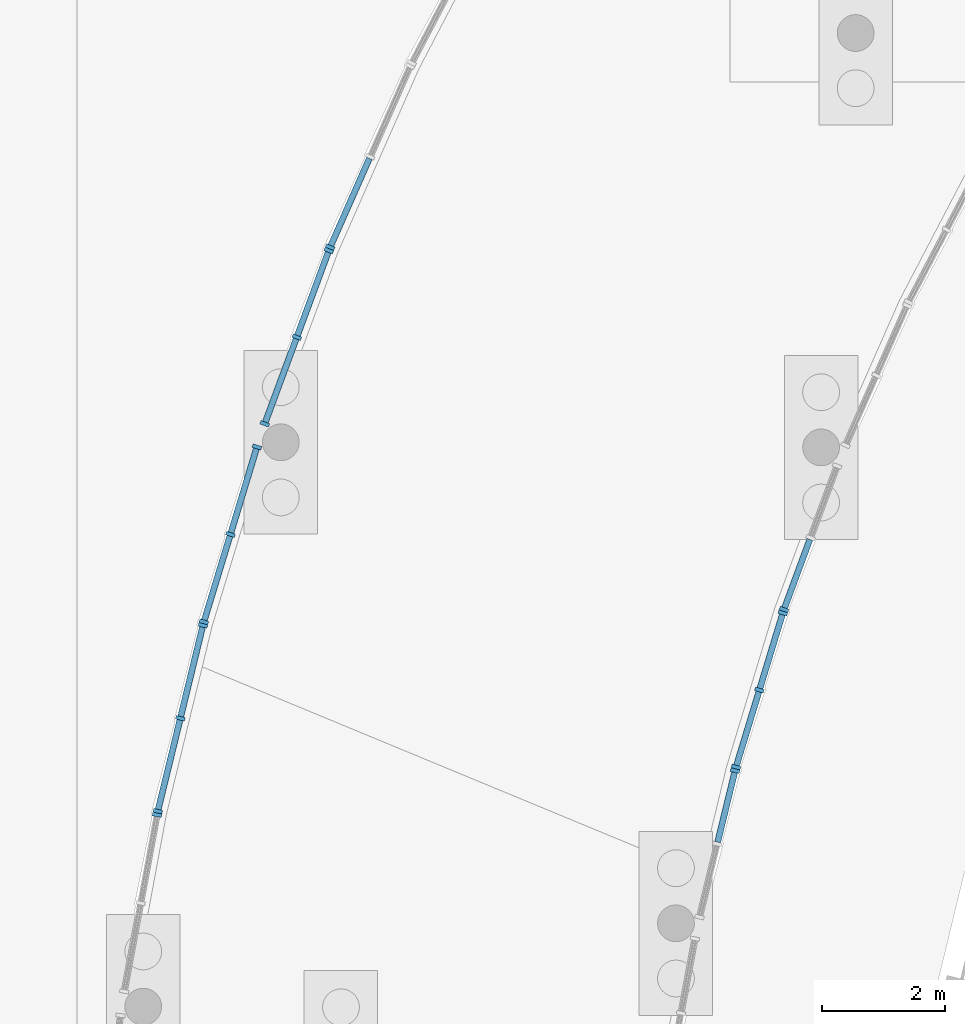
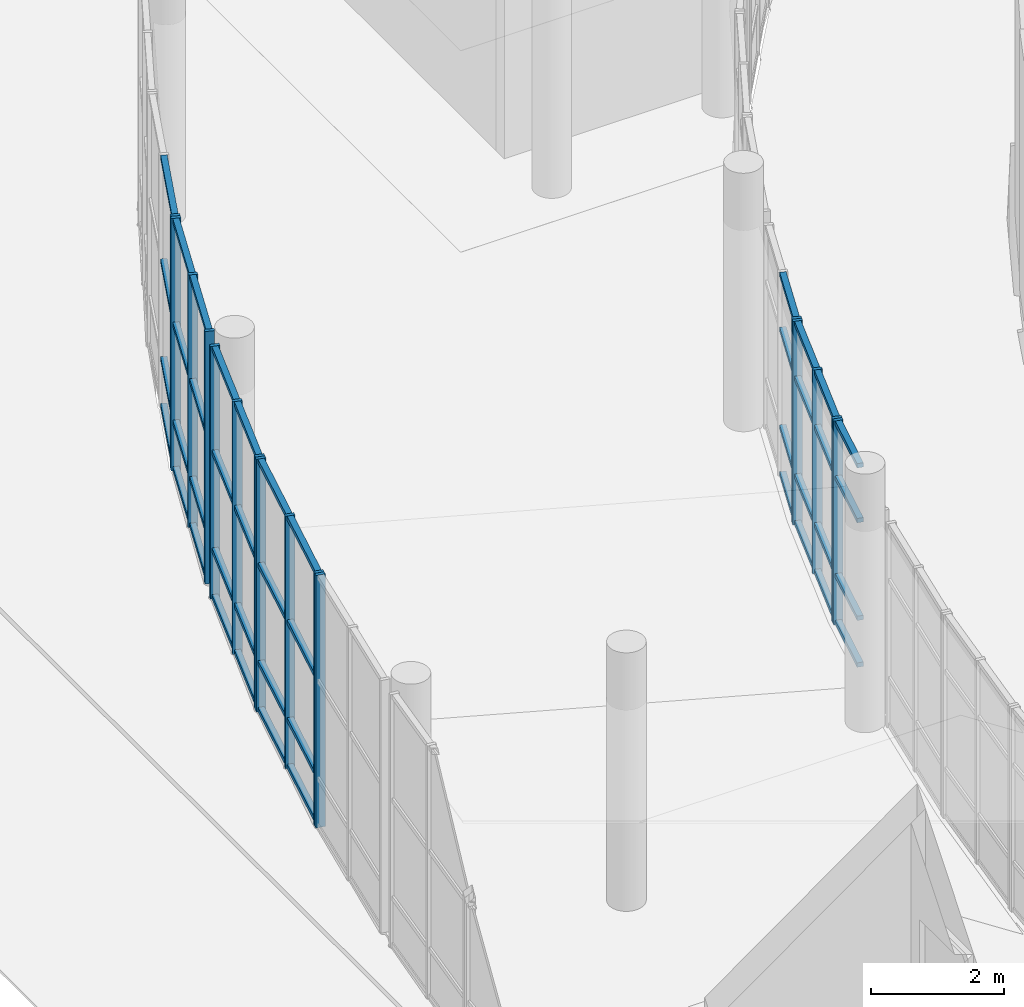
# One storey, part 26 of 110: 60 members, 8 elements without a shape of their own.
"""IFC4 building model written with IfcOpenShell, lengths in metres."""

from ifc_helpers import new_model, si_unit, direction, frame, origin, origin_2d, place, context, subcontext, project, spatial, rectangle, extrude, material, layer, layer_set, material_profile, profile_set, type_object, element, aggregate, save


model = new_model("IFC4")

# Units and contexts
model_context = context("Model", 3, precision=1e-05, world=origin(), true_north=direction((0.0, 1.0)))
body_context = subcontext(model_context, "Body", "Model", "MODEL_VIEW")
ifc_project = project(units=[si_unit("LENGTHUNIT", "METRE"), si_unit("AREAUNIT", "SQUARE_METRE"), si_unit("VOLUMEUNIT", "CUBIC_METRE"), si_unit("PLANEANGLEUNIT", "RADIAN"), si_unit("MASSUNIT", "GRAM", prefix="KILO")], contexts=[model_context])

# Site, building, storey
site_placement = place(None, origin())
site = spatial("IfcSite", under=ifc_project, at=site_placement, CompositionType="ELEMENT")
building_placement = place(site_placement, origin())
building = spatial("IfcBuilding", under=site, at=building_placement, Name="Larchfold Concert Hall", CompositionType="ELEMENT")
storey_placement = place(building_placement, origin())
storey = spatial("IfcBuildingStorey", under=building, at=storey_placement, Name="L00", CompositionType="ELEMENT", Elevation=0.0)

# Curtain wall, member
ifc_material_1 = material(Name="Anodised graphite aluminium curtain wall", Category="aluminium")
ifc_layer = layer(ifc_material_1, 0.14990234375)
ifc_layer_set = layer_set([ifc_layer], Name="Anodised graphite aluminium curtain wall")
curtain_wall_type = type_object("IfcCurtainWallType", Name="Curtain wall WG", PredefinedType="NOTDEFINED", material=ifc_layer_set)
curtain_wall_1_placement = place(storey_placement, origin())
curtain_wall_1 = element("IfcCurtainWall", 1, at=curtain_wall_1_placement, inside=storey, type_object=curtain_wall_type, Name="Curtain wall CW0075", PredefinedType="NOTDEFINED")
ifc_material_2 = material(Name="Anodised graphite aluminium mullion", Category="aluminium")
ifc_material_profile_1 = material_profile(ifc_material_2, rectangle(XDim=0.14990234375, YDim=0.06005859375, at=origin_2d()))
ifc_profile_set_1 = profile_set([ifc_material_profile_1], Name="Anodised graphite aluminium mullion")
member_type_1 = type_object("IfcMemberType", Name="Aluminium mullion 60x150", PredefinedType="MULLION", material=ifc_profile_set_1)
member_1_placement = place(storey_placement, frame((15.431884765625, 97.761474609375, 0.0), z_axis=(0.0, 0.0, 1.0), x_axis=(-0.971761957722, 0.235963339363, 0.0)))
member_1 = element("IfcMember", 2, at=member_1_placement, type_object=member_type_1, Name="CW0075 mullion 3", PredefinedType="MULLION", context=body_context, shape_type="SweptSolid", body=[
    extrude(rectangle(XDim=0.14990234375, YDim=0.06005859375, at=origin_2d()), origin(), (0.0, 0.0, 1.0), 3.75),
])

# Curtain wall, members
curtain_wall_2_placement = place(storey_placement, origin())
curtain_wall_2 = element("IfcCurtainWall", 3, at=curtain_wall_2_placement, inside=storey, type_object=curtain_wall_type, Name="Curtain wall CW0076", PredefinedType="NOTDEFINED")
member_2_placement = place(storey_placement, frame((15.44775390625, 97.8193359375, 0.0), z_axis=(0.0, 0.0, 1.0), x_axis=(-0.956856236078, 0.290561772224, 0.0)))
member_2 = element("IfcMember", 4, at=member_2_placement, type_object=member_type_1, Name="CW0076 mullion 1", PredefinedType="MULLION", context=body_context, shape_type="SweptSolid", body=[
    extrude(rectangle(XDim=0.14990234375, YDim=0.06005859375, at=origin_2d()), origin(), (0.0, 0.0, 1.0), 3.75),
])
member_3_placement = place(storey_placement, frame((15.82958984375, 99.076904296875, 0.0), z_axis=(0.0, 0.0, 1.0), x_axis=(-0.956856236078, 0.290561772224, 0.0)))
member_3 = element("IfcMember", 5, at=member_3_placement, type_object=member_type_1, Name="CW0076 mullion 2", PredefinedType="MULLION", context=body_context, shape_type="SweptSolid", body=[
    extrude(rectangle(XDim=0.14990234375, YDim=0.06005859375, at=origin_2d()), origin(), (0.0, 0.0, 1.0), 3.75),
])
member_4_placement = place(storey_placement, frame((16.21142578125, 100.33447265625, 0.0), z_axis=(0.0, 0.0, 1.0), x_axis=(-0.956856236078, 0.290561772224, 0.0)))
member_4 = element("IfcMember", 6, at=member_4_placement, type_object=member_type_1, Name="CW0076 mullion 3", PredefinedType="MULLION", context=body_context, shape_type="SweptSolid", body=[
    extrude(rectangle(XDim=0.14990234375, YDim=0.06005859375, at=origin_2d()), origin(), (0.0, 0.0, 1.0), 3.75),
])

# Curtain wall, member
curtain_wall_3_placement = place(storey_placement, origin())
curtain_wall_3 = element("IfcCurtainWall", 7, at=curtain_wall_3_placement, inside=storey, type_object=curtain_wall_type, Name="Curtain wall CW0077", PredefinedType="NOTDEFINED")
member_5_placement = place(storey_placement, frame((16.230712890625, 100.391357421875, 0.0), z_axis=(0.0, 0.0, 1.0), x_axis=(-0.938008664151, 0.346611808768, 0.0)))
member_5 = element("IfcMember", 8, at=member_5_placement, type_object=member_type_1, Name="CW0077 mullion 1", PredefinedType="MULLION", context=body_context, shape_type="SweptSolid", body=[
    extrude(rectangle(XDim=0.14990234375, YDim=0.06005859375, at=origin_2d()), origin(), (0.0, 0.0, 1.0), 3.75),
])

curtain_wall_4_placement = place(storey_placement, origin())
curtain_wall_4 = element("IfcCurtainWall", 9, at=curtain_wall_4_placement, inside=storey, type_object=curtain_wall_type, Name="Curtain wall CW0111", PredefinedType="NOTDEFINED")
member_6_placement = place(storey_placement, frame((8.822998046875, 106.304931640625, 0.0), z_axis=(0.0, 0.0, 1.0), x_axis=(0.914703196701, -0.404126294549, 0.0)))
member_6 = element("IfcMember", 10, at=member_6_placement, type_object=member_type_1, Name="CW0111 mullion 3", PredefinedType="MULLION", context=body_context, shape_type="SweptSolid", body=[
    extrude(rectangle(XDim=0.14990234375, YDim=0.06005859375, at=origin_2d()), origin(), (0.0, 0.0, 1.0), 4.64990234375),
])

# Curtain wall, members
curtain_wall_5_placement = place(storey_placement, origin())
curtain_wall_5 = element("IfcCurtainWall", 11, at=curtain_wall_5_placement, inside=storey, type_object=curtain_wall_type, Name="Curtain wall CW0112", PredefinedType="NOTDEFINED")
member_7_placement = place(storey_placement, frame((8.80029296875, 106.24951171875, 0.0), z_axis=(0.0, 0.0, 1.0), x_axis=(0.938015834921, -0.346592402451, 0.0)))
member_7 = element("IfcMember", 12, at=member_7_placement, type_object=member_type_1, Name="CW0112 mullion 1", PredefinedType="MULLION", context=body_context, shape_type="SweptSolid", body=[
    extrude(rectangle(XDim=0.14990234375, YDim=0.06005859375, at=origin_2d()), origin(), (0.0, 0.0, 1.0), 4.64990234375),
])
member_8_placement = place(storey_placement, frame((8.2783203125, 104.836181640625, 0.0), z_axis=(0.0, 0.0, 1.0), x_axis=(0.938015834921, -0.346592402451, 0.0)))
member_8 = element("IfcMember", 13, at=member_8_placement, type_object=member_type_1, Name="CW0112 mullion 2", PredefinedType="MULLION", context=body_context, shape_type="SweptSolid", body=[
    extrude(rectangle(XDim=0.14990234375, YDim=0.06005859375, at=origin_2d()), origin(), (0.0, 0.0, 1.0), 4.64990234375),
])
member_9_placement = place(storey_placement, frame((7.756103515625, 103.4228515625, 0.0), z_axis=(0.0, 0.0, 1.0), x_axis=(0.938015834921, -0.346592402451, 0.0)))
member_9 = element("IfcMember", 14, at=member_9_placement, type_object=member_type_1, Name="CW0112 mullion 3", PredefinedType="MULLION", context=body_context, shape_type="SweptSolid", body=[
    extrude(rectangle(XDim=0.14990234375, YDim=0.06005859375, at=origin_2d()), origin(), (0.0, 0.0, 1.0), 4.64990234375),
])

curtain_wall_6_placement = place(storey_placement, origin())
curtain_wall_6 = element("IfcCurtainWall", 15, at=curtain_wall_6_placement, inside=storey, type_object=curtain_wall_type, Name="Curtain wall CW0113", PredefinedType="NOTDEFINED")
member_10_placement = place(storey_placement, frame((7.628662109375, 103.04443359375, 0.0), z_axis=(0.0, 0.0, 1.0), x_axis=(0.956837952364, -0.290621975967, 0.0)))
member_10 = element("IfcMember", 16, at=member_10_placement, type_object=member_type_1, Name="CW0113 mullion 1", PredefinedType="MULLION", context=body_context, shape_type="SweptSolid", body=[
    extrude(rectangle(XDim=0.14990234375, YDim=0.06005859375, at=origin_2d()), origin(), (0.0, 0.0, 1.0), 4.64990234375),
])
member_11_placement = place(storey_placement, frame((7.1953125, 101.61767578125, 0.0), z_axis=(0.0, 0.0, 1.0), x_axis=(0.956837952364, -0.290621975967, 0.0)))
member_11 = element("IfcMember", 17, at=member_11_placement, type_object=member_type_1, Name="CW0113 mullion 2", PredefinedType="MULLION", context=body_context, shape_type="SweptSolid", body=[
    extrude(rectangle(XDim=0.14990234375, YDim=0.06005859375, at=origin_2d()), origin(), (0.0, 0.0, 1.0), 4.64990234375),
])
member_12_placement = place(storey_placement, frame((6.761962890625, 100.190673828125, 0.0), z_axis=(0.0, 0.0, 1.0), x_axis=(0.956837952364, -0.290621975967, 0.0)))
member_12 = element("IfcMember", 18, at=member_12_placement, type_object=member_type_1, Name="CW0113 mullion 3", PredefinedType="MULLION", context=body_context, shape_type="SweptSolid", body=[
    extrude(rectangle(XDim=0.14990234375, YDim=0.06005859375, at=origin_2d()), origin(), (0.0, 0.0, 1.0), 4.64990234375),
])

curtain_wall_7_placement = place(storey_placement, origin())
curtain_wall_7 = element("IfcCurtainWall", 19, at=curtain_wall_7_placement, inside=storey, type_object=curtain_wall_type, Name="Curtain wall CW0114", PredefinedType="NOTDEFINED")
member_13_placement = place(storey_placement, frame((6.74609375, 100.1328125, 0.0), z_axis=(0.0, 0.0, 1.0), x_axis=(0.97176803509, -0.235938309687, 0.0)))
member_13 = element("IfcMember", 20, at=member_13_placement, type_object=member_type_1, Name="CW0114 mullion 1", PredefinedType="MULLION", context=body_context, shape_type="SweptSolid", body=[
    extrude(rectangle(XDim=0.14990234375, YDim=0.06005859375, at=origin_2d()), origin(), (0.0, 0.0, 1.0), 4.64990234375),
])
member_14_placement = place(storey_placement, frame((6.3779296875, 98.616455078125, 0.0), z_axis=(0.0, 0.0, 1.0), x_axis=(0.97176803509, -0.235938309687, 0.0)))
member_14 = element("IfcMember", 21, at=member_14_placement, type_object=member_type_1, Name="CW0114 mullion 2", PredefinedType="MULLION", context=body_context, shape_type="SweptSolid", body=[
    extrude(rectangle(XDim=0.14990234375, YDim=0.06005859375, at=origin_2d()), origin(), (0.0, 0.0, 1.0), 4.64990234375),
])
member_15_placement = place(storey_placement, frame((6.009765625, 97.099853515625, 0.0), z_axis=(0.0, 0.0, 1.0), x_axis=(0.97176803509, -0.235938309687, 0.0)))
member_15 = element("IfcMember", 22, at=member_15_placement, type_object=member_type_1, Name="CW0114 mullion 3", PredefinedType="MULLION", context=body_context, shape_type="SweptSolid", body=[
    extrude(rectangle(XDim=0.14990234375, YDim=0.06005859375, at=origin_2d()), origin(), (0.0, 0.0, 1.0), 4.64990234375),
])

# Curtain wall, member
curtain_wall_8_placement = place(storey_placement, origin())
curtain_wall_8 = element("IfcCurtainWall", 23, at=curtain_wall_8_placement, inside=storey, type_object=curtain_wall_type, Name="Curtain wall CW0115", PredefinedType="NOTDEFINED")
member_16_placement = place(storey_placement, frame((5.997314453125, 97.041259765625, 0.0), z_axis=(0.0, 0.0, 1.0), x_axis=(0.983234339724, -0.182346464695, 0.0)))
member_16 = element("IfcMember", 24, at=member_16_placement, type_object=member_type_1, Name="CW0115 mullion 1", PredefinedType="MULLION", context=body_context, shape_type="SweptSolid", body=[
    extrude(rectangle(XDim=0.14990234375, YDim=0.06005859375, at=origin_2d()), origin(), (0.0, 0.0, 1.0), 4.64990234375),
])
aggregate(curtain_wall_8, [member_16])

# Member
ifc_material_3 = material(Name="Anodised graphite aluminium transom", Category="aluminium")
ifc_material_profile_2 = material_profile(ifc_material_3, rectangle(XDim=0.10009765625, YDim=0.080078125, at=origin_2d()))
ifc_profile_set_2 = profile_set([ifc_material_profile_2], Name="Anodised graphite aluminium transom")
member_type_2 = type_object("IfcMemberType", Name="Aluminium transom 80x100", PredefinedType="USERDEFINED", material=ifc_profile_set_2)
member_17_placement = place(storey_placement, frame((15.148681640625, 96.595458984375, 0.0400390625), z_axis=(0.236048006379, 0.971741394963, 0.0), x_axis=(-0.971741394963, 0.236048006379, 0.0)))
member_17 = element("IfcMember", 25, at=member_17_placement, type_object=member_type_2, Name="CW0075 transom 2.1", ObjectType="TRANSOM", PredefinedType="USERDEFINED", context=body_context, shape_type="SweptSolid", body=[
    extrude(rectangle(XDim=0.10009765625, YDim=0.080078125, at=origin_2d()), origin(), (0.0, 0.0, 1.0), 1.169677734375),
])

member_18_placement = place(storey_placement, frame((15.148681640625, 96.595458984375, 0.89990234375), z_axis=(0.236048006379, 0.971741394963, 0.0), x_axis=(-0.971741394963, 0.236048006379, 0.0)))
member_18 = element("IfcMember", 26, at=member_18_placement, type_object=member_type_2, Name="CW0075 transom 2.2", ObjectType="TRANSOM", PredefinedType="USERDEFINED", context=body_context, shape_type="SweptSolid", body=[
    extrude(rectangle(XDim=0.10009765625, YDim=0.080078125, at=origin_2d()), origin(), (0.0, 0.0, 1.0), 1.169677734375),
])

member_19_placement = place(storey_placement, frame((15.148681640625, 96.595458984375, 2.699951171875), z_axis=(0.236048006379, 0.971741394963, 0.0), x_axis=(-0.971741394963, 0.236048006379, 0.0)))
member_19 = element("IfcMember", 27, at=member_19_placement, type_object=member_type_2, Name="CW0075 transom 2.3", ObjectType="TRANSOM", PredefinedType="USERDEFINED", context=body_context, shape_type="SweptSolid", body=[
    extrude(rectangle(XDim=0.10009765625, YDim=0.080078125, at=origin_2d()), origin(), (0.0, 0.0, 1.0), 1.169677734375),
])

member_20_placement = place(storey_placement, frame((15.148681640625, 96.595458984375, 3.7099609375), z_axis=(0.236048006379, 0.971741394963, 0.0), x_axis=(-0.971741394963, 0.236048006379, 0.0)))
member_20 = element("IfcMember", 28, at=member_20_placement, type_object=member_type_2, Name="CW0075 transom 2.4", ObjectType="TRANSOM", PredefinedType="USERDEFINED", context=body_context, shape_type="SweptSolid", body=[
    extrude(rectangle(XDim=0.10009765625, YDim=0.080078125, at=origin_2d()), origin(), (0.0, 0.0, 1.0), 1.169677734375),
])

aggregate(curtain_wall_1, [member_1, member_17, member_18, member_19, member_20])

member_21_placement = place(storey_placement, frame((15.456298828125, 97.847900390625, 0.0400390625), z_axis=(0.29059616867, 0.956845790477, 0.0), x_axis=(-0.956845790477, 0.29059616867, 0.0)))
member_21 = element("IfcMember", 29, at=member_21_placement, type_object=member_type_2, Name="CW0076 transom 1.1", ObjectType="TRANSOM", PredefinedType="USERDEFINED", context=body_context, shape_type="SweptSolid", body=[
    extrude(rectangle(XDim=0.10009765625, YDim=0.080078125, at=origin_2d()), origin(), (0.0, 0.0, 1.0), 1.25439453125),
])

member_22_placement = place(storey_placement, frame((15.456298828125, 97.847900390625, 0.89990234375), z_axis=(0.29059616867, 0.956845790477, 0.0), x_axis=(-0.956845790477, 0.29059616867, 0.0)))
member_22 = element("IfcMember", 30, at=member_22_placement, type_object=member_type_2, Name="CW0076 transom 1.2", ObjectType="TRANSOM", PredefinedType="USERDEFINED", context=body_context, shape_type="SweptSolid", body=[
    extrude(rectangle(XDim=0.10009765625, YDim=0.080078125, at=origin_2d()), origin(), (0.0, 0.0, 1.0), 1.25439453125),
])

member_23_placement = place(storey_placement, frame((15.456298828125, 97.847900390625, 2.699951171875), z_axis=(0.29059616867, 0.956845790477, 0.0), x_axis=(-0.956845790477, 0.29059616867, 0.0)))
member_23 = element("IfcMember", 31, at=member_23_placement, type_object=member_type_2, Name="CW0076 transom 1.3", ObjectType="TRANSOM", PredefinedType="USERDEFINED", context=body_context, shape_type="SweptSolid", body=[
    extrude(rectangle(XDim=0.10009765625, YDim=0.080078125, at=origin_2d()), origin(), (0.0, 0.0, 1.0), 1.25439453125),
])

member_24_placement = place(storey_placement, frame((15.456298828125, 97.847900390625, 3.7099609375), z_axis=(0.29059616867, 0.956845790477, 0.0), x_axis=(-0.956845790477, 0.29059616867, 0.0)))
member_24 = element("IfcMember", 32, at=member_24_placement, type_object=member_type_2, Name="CW0076 transom 1.4", ObjectType="TRANSOM", PredefinedType="USERDEFINED", context=body_context, shape_type="SweptSolid", body=[
    extrude(rectangle(XDim=0.10009765625, YDim=0.080078125, at=origin_2d()), origin(), (0.0, 0.0, 1.0), 1.25439453125),
])

member_25_placement = place(storey_placement, frame((15.83837890625, 99.105712890625, 0.0400390625), z_axis=(0.29059616867, 0.956845790477, 0.0), x_axis=(-0.956845790477, 0.29059616867, 0.0)))
member_25 = element("IfcMember", 33, at=member_25_placement, type_object=member_type_2, Name="CW0076 transom 2.1", ObjectType="TRANSOM", PredefinedType="USERDEFINED", context=body_context, shape_type="SweptSolid", body=[
    extrude(rectangle(XDim=0.10009765625, YDim=0.080078125, at=origin_2d()), origin(), (0.0, 0.0, 1.0), 1.25439453125),
])

member_26_placement = place(storey_placement, frame((15.83837890625, 99.105712890625, 0.89990234375), z_axis=(0.29059616867, 0.956845790477, 0.0), x_axis=(-0.956845790477, 0.29059616867, 0.0)))
member_26 = element("IfcMember", 34, at=member_26_placement, type_object=member_type_2, Name="CW0076 transom 2.2", ObjectType="TRANSOM", PredefinedType="USERDEFINED", context=body_context, shape_type="SweptSolid", body=[
    extrude(rectangle(XDim=0.10009765625, YDim=0.080078125, at=origin_2d()), origin(), (0.0, 0.0, 1.0), 1.25439453125),
])

member_27_placement = place(storey_placement, frame((15.83837890625, 99.105712890625, 2.699951171875), z_axis=(0.29059616867, 0.956845790477, 0.0), x_axis=(-0.956845790477, 0.29059616867, 0.0)))
member_27 = element("IfcMember", 35, at=member_27_placement, type_object=member_type_2, Name="CW0076 transom 2.3", ObjectType="TRANSOM", PredefinedType="USERDEFINED", context=body_context, shape_type="SweptSolid", body=[
    extrude(rectangle(XDim=0.10009765625, YDim=0.080078125, at=origin_2d()), origin(), (0.0, 0.0, 1.0), 1.25439453125),
])

member_28_placement = place(storey_placement, frame((15.83837890625, 99.105712890625, 3.7099609375), z_axis=(0.29059616867, 0.956845790477, 0.0), x_axis=(-0.956845790477, 0.29059616867, 0.0)))
member_28 = element("IfcMember", 36, at=member_28_placement, type_object=member_type_2, Name="CW0076 transom 2.4", ObjectType="TRANSOM", PredefinedType="USERDEFINED", context=body_context, shape_type="SweptSolid", body=[
    extrude(rectangle(XDim=0.10009765625, YDim=0.080078125, at=origin_2d()), origin(), (0.0, 0.0, 1.0), 1.25439453125),
])

aggregate(curtain_wall_2, [member_2, member_3, member_4, member_21, member_22, member_23, member_24, member_25, member_26, member_27, member_28])

member_29_placement = place(storey_placement, frame((16.240966796875, 100.419677734375, 0.0400390625), z_axis=(0.346618720234, 0.938006110206, 0.0), x_axis=(-0.938006110206, 0.346618720234, 0.0)))
member_29 = element("IfcMember", 37, at=member_29_placement, type_object=member_type_2, Name="CW0077 transom 1.1", ObjectType="TRANSOM", PredefinedType="USERDEFINED", context=body_context, shape_type="SweptSolid", body=[
    extrude(rectangle(XDim=0.10009765625, YDim=0.080078125, at=origin_2d()), origin(), (0.0, 0.0, 1.0), 1.18896484375),
])

member_30_placement = place(storey_placement, frame((16.240966796875, 100.419677734375, 0.89990234375), z_axis=(0.346618720234, 0.938006110206, 0.0), x_axis=(-0.938006110206, 0.346618720234, 0.0)))
member_30 = element("IfcMember", 38, at=member_30_placement, type_object=member_type_2, Name="CW0077 transom 1.2", ObjectType="TRANSOM", PredefinedType="USERDEFINED", context=body_context, shape_type="SweptSolid", body=[
    extrude(rectangle(XDim=0.10009765625, YDim=0.080078125, at=origin_2d()), origin(), (0.0, 0.0, 1.0), 1.18896484375),
])

member_31_placement = place(storey_placement, frame((16.240966796875, 100.419677734375, 2.699951171875), z_axis=(0.346618720234, 0.938006110206, 0.0), x_axis=(-0.938006110206, 0.346618720234, 0.0)))
member_31 = element("IfcMember", 39, at=member_31_placement, type_object=member_type_2, Name="CW0077 transom 1.3", ObjectType="TRANSOM", PredefinedType="USERDEFINED", context=body_context, shape_type="SweptSolid", body=[
    extrude(rectangle(XDim=0.10009765625, YDim=0.080078125, at=origin_2d()), origin(), (0.0, 0.0, 1.0), 1.18896484375),
])

member_32_placement = place(storey_placement, frame((16.240966796875, 100.419677734375, 3.7099609375), z_axis=(0.346618720234, 0.938006110206, 0.0), x_axis=(-0.938006110206, 0.346618720234, 0.0)))
member_32 = element("IfcMember", 40, at=member_32_placement, type_object=member_type_2, Name="CW0077 transom 1.4", ObjectType="TRANSOM", PredefinedType="USERDEFINED", context=body_context, shape_type="SweptSolid", body=[
    extrude(rectangle(XDim=0.10009765625, YDim=0.080078125, at=origin_2d()), origin(), (0.0, 0.0, 1.0), 1.18896484375),
])

aggregate(curtain_wall_3, [member_5, member_29, member_30, member_31, member_32])

member_33_placement = place(storey_placement, frame((9.463134765625, 107.75439453125, 0.0400390625), z_axis=(-0.404111897501, -0.914709557345, 0.0), x_axis=(0.914709557345, -0.404111897501, 0.0)))
member_33 = element("IfcMember", 41, at=member_33_placement, type_object=member_type_2, Name="CW0111 transom 2.1", ObjectType="TRANSOM", PredefinedType="USERDEFINED", context=body_context, shape_type="SweptSolid", body=[
    extrude(rectangle(XDim=0.10009765625, YDim=0.080078125, at=origin_2d()), origin(), (0.0, 0.0, 1.0), 1.554443359375),
])

member_34_placement = place(storey_placement, frame((9.463134765625, 107.75439453125, 0.89990234375), z_axis=(-0.404111897501, -0.914709557345, 0.0), x_axis=(0.914709557345, -0.404111897501, 0.0)))
member_34 = element("IfcMember", 42, at=member_34_placement, type_object=member_type_2, Name="CW0111 transom 2.2", ObjectType="TRANSOM", PredefinedType="USERDEFINED", context=body_context, shape_type="SweptSolid", body=[
    extrude(rectangle(XDim=0.10009765625, YDim=0.080078125, at=origin_2d()), origin(), (0.0, 0.0, 1.0), 1.554443359375),
])

member_35_placement = place(storey_placement, frame((9.463134765625, 107.75439453125, 2.699951171875), z_axis=(-0.404111897501, -0.914709557345, 0.0), x_axis=(0.914709557345, -0.404111897501, 0.0)))
member_35 = element("IfcMember", 43, at=member_35_placement, type_object=member_type_2, Name="CW0111 transom 2.3", ObjectType="TRANSOM", PredefinedType="USERDEFINED", context=body_context, shape_type="SweptSolid", body=[
    extrude(rectangle(XDim=0.10009765625, YDim=0.080078125, at=origin_2d()), origin(), (0.0, 0.0, 1.0), 1.554443359375),
])

member_36_placement = place(storey_placement, frame((9.463134765625, 107.75439453125, 4.60986328125), z_axis=(-0.404111897501, -0.914709557345, 0.0), x_axis=(0.914709557345, -0.404111897501, 0.0)))
member_36 = element("IfcMember", 44, at=member_36_placement, type_object=member_type_2, Name="CW0111 transom 2.4", ObjectType="TRANSOM", PredefinedType="USERDEFINED", context=body_context, shape_type="SweptSolid", body=[
    extrude(rectangle(XDim=0.10009765625, YDim=0.080078125, at=origin_2d()), origin(), (0.0, 0.0, 1.0), 1.554443359375),
])

aggregate(curtain_wall_4, [member_6, member_33, member_34, member_35, member_36])

member_37_placement = place(storey_placement, frame((8.7900390625, 106.22119140625, 0.0400390625), z_axis=(-0.346643684981, -0.937996884676, 0.0), x_axis=(0.937996884676, -0.346643684981, 0.0)))
member_37 = element("IfcMember", 45, at=member_37_placement, type_object=member_type_2, Name="CW0112 transom 1.1", ObjectType="TRANSOM", PredefinedType="USERDEFINED", context=body_context, shape_type="SweptSolid", body=[
    extrude(rectangle(XDim=0.10009765625, YDim=0.080078125, at=origin_2d()), origin(), (0.0, 0.0, 1.0), 1.446533203125),
])

member_38_placement = place(storey_placement, frame((8.7900390625, 106.22119140625, 0.89990234375), z_axis=(-0.346643684981, -0.937996884676, 0.0), x_axis=(0.937996884676, -0.346643684981, 0.0)))
member_38 = element("IfcMember", 46, at=member_38_placement, type_object=member_type_2, Name="CW0112 transom 1.2", ObjectType="TRANSOM", PredefinedType="USERDEFINED", context=body_context, shape_type="SweptSolid", body=[
    extrude(rectangle(XDim=0.10009765625, YDim=0.080078125, at=origin_2d()), origin(), (0.0, 0.0, 1.0), 1.446533203125),
])

member_39_placement = place(storey_placement, frame((8.7900390625, 106.22119140625, 2.699951171875), z_axis=(-0.346643684981, -0.937996884676, 0.0), x_axis=(0.937996884676, -0.346643684981, 0.0)))
member_39 = element("IfcMember", 47, at=member_39_placement, type_object=member_type_2, Name="CW0112 transom 1.3", ObjectType="TRANSOM", PredefinedType="USERDEFINED", context=body_context, shape_type="SweptSolid", body=[
    extrude(rectangle(XDim=0.10009765625, YDim=0.080078125, at=origin_2d()), origin(), (0.0, 0.0, 1.0), 1.446533203125),
])

member_40_placement = place(storey_placement, frame((8.7900390625, 106.22119140625, 4.60986328125), z_axis=(-0.346643684981, -0.937996884676, 0.0), x_axis=(0.937996884676, -0.346643684981, 0.0)))
member_40 = element("IfcMember", 48, at=member_40_placement, type_object=member_type_2, Name="CW0112 transom 1.4", ObjectType="TRANSOM", PredefinedType="USERDEFINED", context=body_context, shape_type="SweptSolid", body=[
    extrude(rectangle(XDim=0.10009765625, YDim=0.080078125, at=origin_2d()), origin(), (0.0, 0.0, 1.0), 1.446533203125),
])

member_41_placement = place(storey_placement, frame((8.267822265625, 104.80810546875, 0.0400390625), z_axis=(-0.346643684981, -0.937996884676, 0.0), x_axis=(0.937996884676, -0.346643684981, 0.0)))
member_41 = element("IfcMember", 49, at=member_41_placement, type_object=member_type_2, Name="CW0112 transom 2.1", ObjectType="TRANSOM", PredefinedType="USERDEFINED", context=body_context, shape_type="SweptSolid", body=[
    extrude(rectangle(XDim=0.10009765625, YDim=0.080078125, at=origin_2d()), origin(), (0.0, 0.0, 1.0), 1.446533203125),
])

member_42_placement = place(storey_placement, frame((8.267822265625, 104.80810546875, 0.89990234375), z_axis=(-0.346643684981, -0.937996884676, 0.0), x_axis=(0.937996884676, -0.346643684981, 0.0)))
member_42 = element("IfcMember", 50, at=member_42_placement, type_object=member_type_2, Name="CW0112 transom 2.2", ObjectType="TRANSOM", PredefinedType="USERDEFINED", context=body_context, shape_type="SweptSolid", body=[
    extrude(rectangle(XDim=0.10009765625, YDim=0.080078125, at=origin_2d()), origin(), (0.0, 0.0, 1.0), 1.446533203125),
])

member_43_placement = place(storey_placement, frame((8.267822265625, 104.80810546875, 2.699951171875), z_axis=(-0.346643684981, -0.937996884676, 0.0), x_axis=(0.937996884676, -0.346643684981, 0.0)))
member_43 = element("IfcMember", 51, at=member_43_placement, type_object=member_type_2, Name="CW0112 transom 2.3", ObjectType="TRANSOM", PredefinedType="USERDEFINED", context=body_context, shape_type="SweptSolid", body=[
    extrude(rectangle(XDim=0.10009765625, YDim=0.080078125, at=origin_2d()), origin(), (0.0, 0.0, 1.0), 1.446533203125),
])

member_44_placement = place(storey_placement, frame((8.267822265625, 104.80810546875, 4.60986328125), z_axis=(-0.346643684981, -0.937996884676, 0.0), x_axis=(0.937996884676, -0.346643684981, 0.0)))
member_44 = element("IfcMember", 52, at=member_44_placement, type_object=member_type_2, Name="CW0112 transom 2.4", ObjectType="TRANSOM", PredefinedType="USERDEFINED", context=body_context, shape_type="SweptSolid", body=[
    extrude(rectangle(XDim=0.10009765625, YDim=0.080078125, at=origin_2d()), origin(), (0.0, 0.0, 1.0), 1.446533203125),
])

aggregate(curtain_wall_5, [member_7, member_8, member_9, member_37, member_38, member_39, member_40, member_41, member_42, member_43, member_44])

member_45_placement = place(storey_placement, frame((7.6201171875, 103.015869140625, 0.0400390625), z_axis=(-0.29063218975, -0.956834850056, 0.0), x_axis=(0.956834850056, -0.29063218975, 0.0)))
member_45 = element("IfcMember", 53, at=member_45_placement, type_object=member_type_2, Name="CW0113 transom 1.1", ObjectType="TRANSOM", PredefinedType="USERDEFINED", context=body_context, shape_type="SweptSolid", body=[
    extrude(rectangle(XDim=0.10009765625, YDim=0.080078125, at=origin_2d()), origin(), (0.0, 0.0, 1.0), 1.431396484375),
])

member_46_placement = place(storey_placement, frame((7.6201171875, 103.015869140625, 0.89990234375), z_axis=(-0.29063218975, -0.956834850056, 0.0), x_axis=(0.956834850056, -0.29063218975, 0.0)))
member_46 = element("IfcMember", 54, at=member_46_placement, type_object=member_type_2, Name="CW0113 transom 1.2", ObjectType="TRANSOM", PredefinedType="USERDEFINED", context=body_context, shape_type="SweptSolid", body=[
    extrude(rectangle(XDim=0.10009765625, YDim=0.080078125, at=origin_2d()), origin(), (0.0, 0.0, 1.0), 1.431396484375),
])

member_47_placement = place(storey_placement, frame((7.6201171875, 103.015869140625, 2.699951171875), z_axis=(-0.29063218975, -0.956834850056, 0.0), x_axis=(0.956834850056, -0.29063218975, 0.0)))
member_47 = element("IfcMember", 55, at=member_47_placement, type_object=member_type_2, Name="CW0113 transom 1.3", ObjectType="TRANSOM", PredefinedType="USERDEFINED", context=body_context, shape_type="SweptSolid", body=[
    extrude(rectangle(XDim=0.10009765625, YDim=0.080078125, at=origin_2d()), origin(), (0.0, 0.0, 1.0), 1.431396484375),
])

member_48_placement = place(storey_placement, frame((7.6201171875, 103.015869140625, 4.60986328125), z_axis=(-0.29063218975, -0.956834850056, 0.0), x_axis=(0.956834850056, -0.29063218975, 0.0)))
member_48 = element("IfcMember", 56, at=member_48_placement, type_object=member_type_2, Name="CW0113 transom 1.4", ObjectType="TRANSOM", PredefinedType="USERDEFINED", context=body_context, shape_type="SweptSolid", body=[
    extrude(rectangle(XDim=0.10009765625, YDim=0.080078125, at=origin_2d()), origin(), (0.0, 0.0, 1.0), 1.431396484375),
])

member_49_placement = place(storey_placement, frame((7.1865234375, 101.5888671875, 0.0400390625), z_axis=(-0.29063218975, -0.956834850056, 0.0), x_axis=(0.956834850056, -0.29063218975, 0.0)))
member_49 = element("IfcMember", 57, at=member_49_placement, type_object=member_type_2, Name="CW0113 transom 2.1", ObjectType="TRANSOM", PredefinedType="USERDEFINED", context=body_context, shape_type="SweptSolid", body=[
    extrude(rectangle(XDim=0.10009765625, YDim=0.080078125, at=origin_2d()), origin(), (0.0, 0.0, 1.0), 1.431396484375),
])

member_50_placement = place(storey_placement, frame((7.1865234375, 101.5888671875, 0.89990234375), z_axis=(-0.29063218975, -0.956834850056, 0.0), x_axis=(0.956834850056, -0.29063218975, 0.0)))
member_50 = element("IfcMember", 58, at=member_50_placement, type_object=member_type_2, Name="CW0113 transom 2.2", ObjectType="TRANSOM", PredefinedType="USERDEFINED", context=body_context, shape_type="SweptSolid", body=[
    extrude(rectangle(XDim=0.10009765625, YDim=0.080078125, at=origin_2d()), origin(), (0.0, 0.0, 1.0), 1.431396484375),
])

member_51_placement = place(storey_placement, frame((7.1865234375, 101.5888671875, 2.699951171875), z_axis=(-0.29063218975, -0.956834850056, 0.0), x_axis=(0.956834850056, -0.29063218975, 0.0)))
member_51 = element("IfcMember", 59, at=member_51_placement, type_object=member_type_2, Name="CW0113 transom 2.3", ObjectType="TRANSOM", PredefinedType="USERDEFINED", context=body_context, shape_type="SweptSolid", body=[
    extrude(rectangle(XDim=0.10009765625, YDim=0.080078125, at=origin_2d()), origin(), (0.0, 0.0, 1.0), 1.431396484375),
])

member_52_placement = place(storey_placement, frame((7.1865234375, 101.5888671875, 4.60986328125), z_axis=(-0.29063218975, -0.956834850056, 0.0), x_axis=(0.956834850056, -0.29063218975, 0.0)))
member_52 = element("IfcMember", 60, at=member_52_placement, type_object=member_type_2, Name="CW0113 transom 2.4", ObjectType="TRANSOM", PredefinedType="USERDEFINED", context=body_context, shape_type="SweptSolid", body=[
    extrude(rectangle(XDim=0.10009765625, YDim=0.080078125, at=origin_2d()), origin(), (0.0, 0.0, 1.0), 1.431396484375),
])

aggregate(curtain_wall_6, [member_10, member_11, member_12, member_45, member_46, member_47, member_48, member_49, member_50, member_51, member_52])

member_53_placement = place(storey_placement, frame((6.739013671875, 100.103515625, 0.0400390625), z_axis=(-0.235944645089, -0.971766496878, 0.0), x_axis=(0.971766496878, -0.235944645089, 0.0)))
member_53 = element("IfcMember", 61, at=member_53_placement, type_object=member_type_2, Name="CW0114 transom 1.1", ObjectType="TRANSOM", PredefinedType="USERDEFINED", context=body_context, shape_type="SweptSolid", body=[
    extrude(rectangle(XDim=0.10009765625, YDim=0.080078125, at=origin_2d()), origin(), (0.0, 0.0, 1.0), 1.50048828125),
])

member_54_placement = place(storey_placement, frame((6.739013671875, 100.103515625, 0.89990234375), z_axis=(-0.235944645089, -0.971766496878, 0.0), x_axis=(0.971766496878, -0.235944645089, 0.0)))
member_54 = element("IfcMember", 62, at=member_54_placement, type_object=member_type_2, Name="CW0114 transom 1.2", ObjectType="TRANSOM", PredefinedType="USERDEFINED", context=body_context, shape_type="SweptSolid", body=[
    extrude(rectangle(XDim=0.10009765625, YDim=0.080078125, at=origin_2d()), origin(), (0.0, 0.0, 1.0), 1.50048828125),
])

member_55_placement = place(storey_placement, frame((6.739013671875, 100.103515625, 2.699951171875), z_axis=(-0.235944645089, -0.971766496878, 0.0), x_axis=(0.971766496878, -0.235944645089, 0.0)))
member_55 = element("IfcMember", 63, at=member_55_placement, type_object=member_type_2, Name="CW0114 transom 1.3", ObjectType="TRANSOM", PredefinedType="USERDEFINED", context=body_context, shape_type="SweptSolid", body=[
    extrude(rectangle(XDim=0.10009765625, YDim=0.080078125, at=origin_2d()), origin(), (0.0, 0.0, 1.0), 1.50048828125),
])

member_56_placement = place(storey_placement, frame((6.739013671875, 100.103515625, 4.60986328125), z_axis=(-0.235944645089, -0.971766496878, 0.0), x_axis=(0.971766496878, -0.235944645089, 0.0)))
member_56 = element("IfcMember", 64, at=member_56_placement, type_object=member_type_2, Name="CW0114 transom 1.4", ObjectType="TRANSOM", PredefinedType="USERDEFINED", context=body_context, shape_type="SweptSolid", body=[
    extrude(rectangle(XDim=0.10009765625, YDim=0.080078125, at=origin_2d()), origin(), (0.0, 0.0, 1.0), 1.50048828125),
])

member_57_placement = place(storey_placement, frame((6.370849609375, 98.587158203125, 0.0400390625), z_axis=(-0.235944645089, -0.971766496878, 0.0), x_axis=(0.971766496878, -0.235944645089, 0.0)))
member_57 = element("IfcMember", 65, at=member_57_placement, type_object=member_type_2, Name="CW0114 transom 2.1", ObjectType="TRANSOM", PredefinedType="USERDEFINED", context=body_context, shape_type="SweptSolid", body=[
    extrude(rectangle(XDim=0.10009765625, YDim=0.080078125, at=origin_2d()), origin(), (0.0, 0.0, 1.0), 1.50048828125),
])

member_58_placement = place(storey_placement, frame((6.370849609375, 98.587158203125, 0.89990234375), z_axis=(-0.235944645089, -0.971766496878, 0.0), x_axis=(0.971766496878, -0.235944645089, 0.0)))
member_58 = element("IfcMember", 66, at=member_58_placement, type_object=member_type_2, Name="CW0114 transom 2.2", ObjectType="TRANSOM", PredefinedType="USERDEFINED", context=body_context, shape_type="SweptSolid", body=[
    extrude(rectangle(XDim=0.10009765625, YDim=0.080078125, at=origin_2d()), origin(), (0.0, 0.0, 1.0), 1.50048828125),
])

member_59_placement = place(storey_placement, frame((6.370849609375, 98.587158203125, 2.699951171875), z_axis=(-0.235944645089, -0.971766496878, 0.0), x_axis=(0.971766496878, -0.235944645089, 0.0)))
member_59 = element("IfcMember", 67, at=member_59_placement, type_object=member_type_2, Name="CW0114 transom 2.3", ObjectType="TRANSOM", PredefinedType="USERDEFINED", context=body_context, shape_type="SweptSolid", body=[
    extrude(rectangle(XDim=0.10009765625, YDim=0.080078125, at=origin_2d()), origin(), (0.0, 0.0, 1.0), 1.50048828125),
])

member_60_placement = place(storey_placement, frame((6.370849609375, 98.587158203125, 4.60986328125), z_axis=(-0.235944645089, -0.971766496878, 0.0), x_axis=(0.971766496878, -0.235944645089, 0.0)))
member_60 = element("IfcMember", 68, at=member_60_placement, type_object=member_type_2, Name="CW0114 transom 2.4", ObjectType="TRANSOM", PredefinedType="USERDEFINED", context=body_context, shape_type="SweptSolid", body=[
    extrude(rectangle(XDim=0.10009765625, YDim=0.080078125, at=origin_2d()), origin(), (0.0, 0.0, 1.0), 1.50048828125),
])

aggregate(curtain_wall_7, [member_13, member_14, member_15, member_53, member_54, member_55, member_56, member_57, member_58, member_59, member_60])

save(model, "model.ifc")
